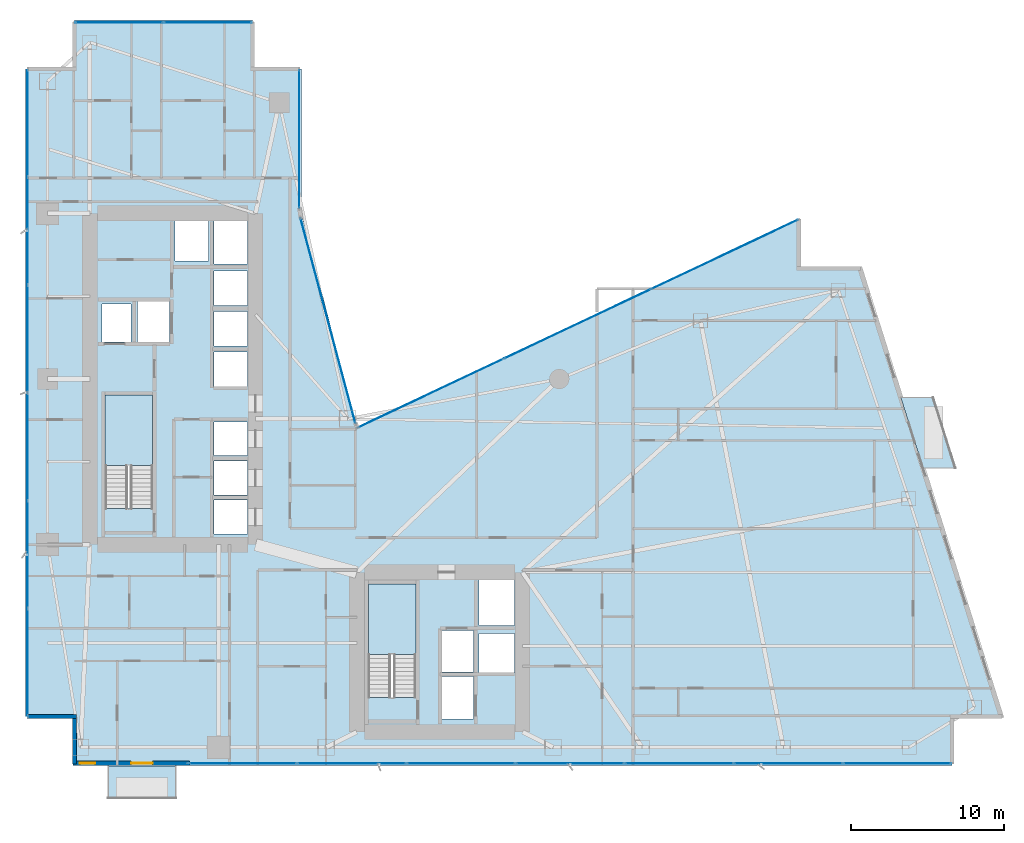
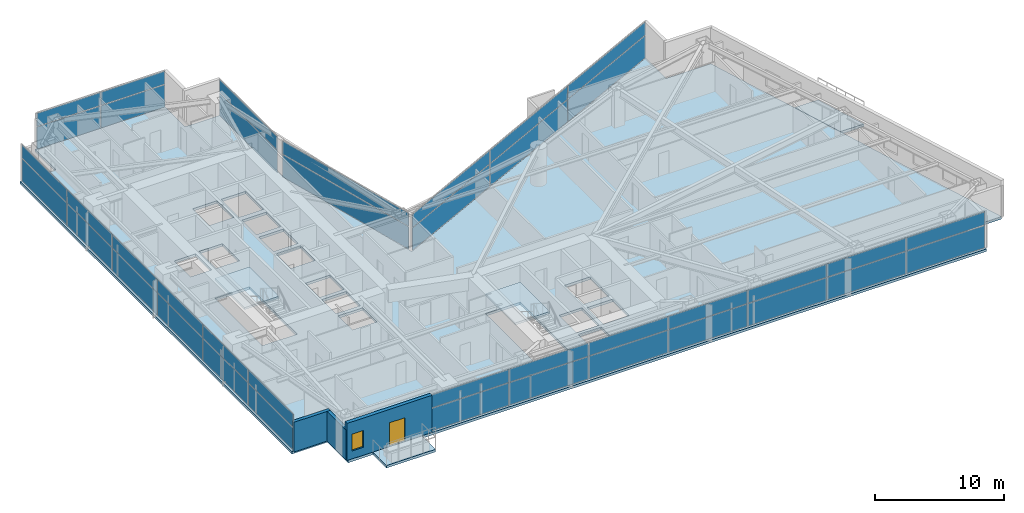
# One storey, part 20 of 28: 40 plates, 5 slabs, 3 walls, 1 door, 1 window, 2 openings, 8 elements without a shape of their own.
"""IFC4 building model written with IfcOpenShell, lengths in metres."""

from ifc_helpers import new_model, si_unit, direction, frame, frame_2d, origin, origin_2d, place, context, subcontext, project, spatial, polyline, rectangle, outline, extrude, material, layer, layer_set, type_object, element, fill, aggregate, save


model = new_model("IFC4")

# Units and contexts
model_context = context("Model", 3, precision=1e-05, world=origin(), true_north=direction((0.0, 1.0)))
body_context = subcontext(model_context, "Body", "Model", "MODEL_VIEW")
ifc_project = project(units=[si_unit("LENGTHUNIT", "METRE"), si_unit("AREAUNIT", "SQUARE_METRE"), si_unit("VOLUMEUNIT", "CUBIC_METRE"), si_unit("PLANEANGLEUNIT", "RADIAN"), si_unit("MASSUNIT", "GRAM", prefix="KILO")], contexts=[model_context])

# Site, building, storey
site_placement = place(None, origin())
site = spatial("IfcSite", under=ifc_project, at=site_placement, CompositionType="ELEMENT")
building_placement = place(site_placement, origin())
building = spatial("IfcBuilding", under=site, at=building_placement, Name="Calvorn Quay Hotel", CompositionType="ELEMENT")
storey_placement = place(building_placement, frame((0.0, 0.0, 42.199951171875)))
storey = spatial("IfcBuildingStorey", under=building, at=storey_placement, Name="L09", CompositionType="ELEMENT", Elevation=42.199951171875)

# Curtain wall, plates
ifc_material_1 = material(Name="Pale Anodised Aluminium and Low-E Glass", Category="aluminium")
ifc_layer_1 = layer(ifc_material_1, 0.219970703125)
ifc_layer_set_1 = layer_set([ifc_layer_1], Name="CW-SYS-Z1")
curtain_wall_type = type_object("IfcCurtainWallType", Name="CW-SYS-Z1", PredefinedType="NOTDEFINED", material=ifc_layer_set_1)
curtain_wall_1_placement = place(storey_placement, origin())
curtain_wall_1 = element("IfcCurtainWall", 1, at=curtain_wall_1_placement, inside=storey, type_object=curtain_wall_type, Name="Tower West Curtain Wall (L09)", PredefinedType="NOTDEFINED")
ifc_material_2 = material(Name="Low-E Laminated Double Glazing", Category="glass")
ifc_layer_2 = layer(ifc_material_2, 0.028076171875)
ifc_layer_set_2 = layer_set([ifc_layer_2], Name="CW-SYS-Z1-PAN")
plate_type = type_object("IfcPlateType", Name="CW-SYS-Z1-PAN", PredefinedType="CURTAIN_PANEL", material=ifc_layer_set_2)
plate_1_placement = place(storey_placement, frame((0.14990234375, 9.131591796875, 0.06005859375), z_axis=(0.0, 0.0, 1.0), x_axis=(0.0, 1.0, 0.0)))
plate_1 = element("IfcPlate", 2, at=plate_1_placement, type_object=plate_type, Name="CW-L09-W panel 1.1", PredefinedType="CURTAIN_PANEL", context=body_context, shape_type="SweptSolid", body=[
    extrude(rectangle(XDim=6.943359375, YDim=0.028076171875, at=origin_2d()), origin(), (0.0, 0.0, 1.0), 2.110107421875),
])
plate_2_placement = place(storey_placement, frame((0.14990234375, 9.131591796875, 2.22998046875), z_axis=(0.0, 0.0, 1.0), x_axis=(0.0, 1.0, 0.0)))
plate_2 = element("IfcPlate", 3, at=plate_2_placement, type_object=plate_type, Name="CW-L09-W panel 1.2", PredefinedType="CURTAIN_PANEL", context=body_context, shape_type="SweptSolid", body=[
    extrude(rectangle(XDim=6.943359375, YDim=0.028076171875, at=origin_2d()), origin(), (0.0, 0.0, 1.0), 1.22998046875),
])
plate_3_placement = place(storey_placement, frame((0.14990234375, 16.14990234375, 0.06005859375), z_axis=(0.0, 0.0, 1.0), x_axis=(0.0, 1.0, 0.0)))
plate_3 = element("IfcPlate", 4, at=plate_3_placement, type_object=plate_type, Name="CW-L09-W panel 2.1", PredefinedType="CURTAIN_PANEL", context=body_context, shape_type="SweptSolid", body=[
    extrude(rectangle(XDim=6.973388671875, YDim=0.028076171875, at=origin_2d()), origin(), (0.0, 0.0, 1.0), 2.110107421875),
])
plate_4_placement = place(storey_placement, frame((0.14990234375, 16.14990234375, 2.22998046875), z_axis=(0.0, 0.0, 1.0), x_axis=(0.0, 1.0, 0.0)))
plate_4 = element("IfcPlate", 5, at=plate_4_placement, type_object=plate_type, Name="CW-L09-W panel 2.2", PredefinedType="CURTAIN_PANEL", context=body_context, shape_type="SweptSolid", body=[
    extrude(rectangle(XDim=6.973388671875, YDim=0.028076171875, at=origin_2d()), origin(), (0.0, 0.0, 1.0), 1.22998046875),
])
plate_5_placement = place(storey_placement, frame((0.14990234375, 23.183349609375, 0.06005859375), z_axis=(0.0, 0.0, 1.0), x_axis=(0.0, 1.0, 0.0)))
plate_5 = element("IfcPlate", 6, at=plate_5_placement, type_object=plate_type, Name="CW-L09-W panel 3.1", PredefinedType="CURTAIN_PANEL", context=body_context, shape_type="SweptSolid", body=[
    extrude(rectangle(XDim=6.973388671875, YDim=0.028076171875, at=origin_2d()), origin(), (0.0, 0.0, 1.0), 2.110107421875),
])
plate_6_placement = place(storey_placement, frame((0.14990234375, 23.183349609375, 2.22998046875), z_axis=(0.0, 0.0, 1.0), x_axis=(0.0, 1.0, 0.0)))
plate_6 = element("IfcPlate", 7, at=plate_6_placement, type_object=plate_type, Name="CW-L09-W panel 3.2", PredefinedType="CURTAIN_PANEL", context=body_context, shape_type="SweptSolid", body=[
    extrude(rectangle(XDim=6.973388671875, YDim=0.028076171875, at=origin_2d()), origin(), (0.0, 0.0, 1.0), 1.22998046875),
])
plate_7_placement = place(storey_placement, frame((0.14990234375, 30.216552734375, 0.06005859375), z_axis=(0.0, 0.0, 1.0), x_axis=(0.0, 1.0, 0.0)))
plate_7 = element("IfcPlate", 8, at=plate_7_placement, type_object=plate_type, Name="CW-L09-W panel 4.1", PredefinedType="CURTAIN_PANEL", context=body_context, shape_type="SweptSolid", body=[
    extrude(rectangle(XDim=6.973388671875, YDim=0.028076171875, at=origin_2d()), origin(), (0.0, 0.0, 1.0), 2.110107421875),
])
plate_8_placement = place(storey_placement, frame((0.14990234375, 30.216552734375, 2.22998046875), z_axis=(0.0, 0.0, 1.0), x_axis=(0.0, 1.0, 0.0)))
plate_8 = element("IfcPlate", 9, at=plate_8_placement, type_object=plate_type, Name="CW-L09-W panel 4.2", PredefinedType="CURTAIN_PANEL", context=body_context, shape_type="SweptSolid", body=[
    extrude(rectangle(XDim=6.973388671875, YDim=0.028076171875, at=origin_2d()), origin(), (0.0, 0.0, 1.0), 1.22998046875),
])
plate_9_placement = place(storey_placement, frame((0.14990234375, 37.25, 0.06005859375), z_axis=(0.0, 0.0, 1.0), x_axis=(0.0, 1.0, 0.0)))
plate_9 = element("IfcPlate", 10, at=plate_9_placement, type_object=plate_type, Name="CW-L09-W panel 5.1", PredefinedType="CURTAIN_PANEL", context=body_context, shape_type="SweptSolid", body=[
    extrude(rectangle(XDim=6.973388671875, YDim=0.028076171875, at=origin_2d()), origin(), (0.0, 0.0, 1.0), 2.110107421875),
])
plate_10_placement = place(storey_placement, frame((0.14990234375, 37.25, 2.22998046875), z_axis=(0.0, 0.0, 1.0), x_axis=(0.0, 1.0, 0.0)))
plate_10 = element("IfcPlate", 11, at=plate_10_placement, type_object=plate_type, Name="CW-L09-W panel 5.2", PredefinedType="CURTAIN_PANEL", context=body_context, shape_type="SweptSolid", body=[
    extrude(rectangle(XDim=6.973388671875, YDim=0.028076171875, at=origin_2d()), origin(), (0.0, 0.0, 1.0), 1.22998046875),
])
plate_11_placement = place(storey_placement, frame((0.14990234375, 44.268310546875, 0.06005859375), z_axis=(0.0, 0.0, 1.0), x_axis=(0.0, 1.0, 0.0)))
plate_11 = element("IfcPlate", 12, at=plate_11_placement, type_object=plate_type, Name="CW-L09-W panel 6.1", PredefinedType="CURTAIN_PANEL", context=body_context, shape_type="SweptSolid", body=[
    extrude(rectangle(XDim=6.943359375, YDim=0.028076171875, at=origin_2d()), origin(), (0.0, 0.0, 1.0), 2.110107421875),
])
plate_12_placement = place(storey_placement, frame((0.14990234375, 44.268310546875, 2.22998046875), z_axis=(0.0, 0.0, 1.0), x_axis=(0.0, 1.0, 0.0)))
plate_12 = element("IfcPlate", 13, at=plate_12_placement, type_object=plate_type, Name="CW-L09-W panel 6.2", PredefinedType="CURTAIN_PANEL", context=body_context, shape_type="SweptSolid", body=[
    extrude(rectangle(XDim=6.943359375, YDim=0.028076171875, at=origin_2d()), origin(), (0.0, 0.0, 1.0), 1.22998046875),
])
aggregate(curtain_wall_1, [plate_1, plate_2, plate_3, plate_4, plate_5, plate_6, plate_7, plate_8, plate_9, plate_10, plate_11, plate_12])

curtain_wall_2_placement = place(storey_placement, origin())
curtain_wall_2 = element("IfcCurtainWall", 14, at=curtain_wall_2_placement, inside=storey, type_object=curtain_wall_type, Name="Tower South Waterfront Curtain Wall (L09)", PredefinedType="NOTDEFINED")
plate_13_placement = place(storey_placement, frame((14.172119140625, 2.550048828125, 0.06005859375), z_axis=(0.0, 0.0, 1.0), x_axis=(1.0, 0.0, 0.0)))
plate_13 = element("IfcPlate", 15, at=plate_13_placement, type_object=plate_type, Name="CW-L09-S panel 1.1", PredefinedType="CURTAIN_PANEL", context=body_context, shape_type="SweptSolid", body=[
    extrude(rectangle(XDim=7.024169921875, YDim=0.028076171875, at=origin_2d()), origin(), (0.0, 0.0, 1.0), 2.110107421875),
])
plate_14_placement = place(storey_placement, frame((14.172119140625, 2.550048828125, 2.22998046875), z_axis=(0.0, 0.0, 1.0), x_axis=(1.0, 0.0, 0.0)))
plate_14 = element("IfcPlate", 16, at=plate_14_placement, type_object=plate_type, Name="CW-L09-S panel 1.2", PredefinedType="CURTAIN_PANEL", context=body_context, shape_type="SweptSolid", body=[
    extrude(rectangle(XDim=7.024169921875, YDim=0.028076171875, at=origin_2d()), origin(), (0.0, 0.0, 1.0), 1.22998046875),
])
plate_15_placement = place(storey_placement, frame((21.271484375, 2.550048828125, 0.06005859375), z_axis=(0.0, 0.0, 1.0), x_axis=(1.0, 0.0, 0.0)))
plate_15 = element("IfcPlate", 17, at=plate_15_placement, type_object=plate_type, Name="CW-L09-S panel 2.1", PredefinedType="CURTAIN_PANEL", context=body_context, shape_type="SweptSolid", body=[
    extrude(rectangle(XDim=7.05419921875, YDim=0.028076171875, at=origin_2d()), origin(), (0.0, 0.0, 1.0), 2.110107421875),
])
plate_16_placement = place(storey_placement, frame((21.271484375, 2.550048828125, 2.22998046875), z_axis=(0.0, 0.0, 1.0), x_axis=(1.0, 0.0, 0.0)))
plate_16 = element("IfcPlate", 18, at=plate_16_placement, type_object=plate_type, Name="CW-L09-S panel 2.2", PredefinedType="CURTAIN_PANEL", context=body_context, shape_type="SweptSolid", body=[
    extrude(rectangle(XDim=7.05419921875, YDim=0.028076171875, at=origin_2d()), origin(), (0.0, 0.0, 1.0), 1.22998046875),
])
plate_17_placement = place(storey_placement, frame((28.3857421875, 2.550048828125, 0.06005859375), z_axis=(0.0, 0.0, 1.0), x_axis=(1.0, 0.0, 0.0)))
plate_17 = element("IfcPlate", 19, at=plate_17_placement, type_object=plate_type, Name="CW-L09-S panel 3.1", PredefinedType="CURTAIN_PANEL", context=body_context, shape_type="SweptSolid", body=[
    extrude(rectangle(XDim=7.05419921875, YDim=0.028076171875, at=origin_2d()), origin(), (0.0, 0.0, 1.0), 2.110107421875),
])
plate_18_placement = place(storey_placement, frame((28.3857421875, 2.550048828125, 2.22998046875), z_axis=(0.0, 0.0, 1.0), x_axis=(1.0, 0.0, 0.0)))
plate_18 = element("IfcPlate", 20, at=plate_18_placement, type_object=plate_type, Name="CW-L09-S panel 3.2", PredefinedType="CURTAIN_PANEL", context=body_context, shape_type="SweptSolid", body=[
    extrude(rectangle(XDim=7.05419921875, YDim=0.028076171875, at=origin_2d()), origin(), (0.0, 0.0, 1.0), 1.22998046875),
])
plate_19_placement = place(storey_placement, frame((35.5, 2.550048828125, 0.06005859375), z_axis=(0.0, 0.0, 1.0), x_axis=(1.0, 0.0, 0.0)))
plate_19 = element("IfcPlate", 21, at=plate_19_placement, type_object=plate_type, Name="CW-L09-S panel 4.1", PredefinedType="CURTAIN_PANEL", context=body_context, shape_type="SweptSolid", body=[
    extrude(rectangle(XDim=7.05419921875, YDim=0.028076171875, at=origin_2d()), origin(), (0.0, 0.0, 1.0), 2.110107421875),
])
plate_20_placement = place(storey_placement, frame((35.5, 2.550048828125, 2.22998046875), z_axis=(0.0, 0.0, 1.0), x_axis=(1.0, 0.0, 0.0)))
plate_20 = element("IfcPlate", 22, at=plate_20_placement, type_object=plate_type, Name="CW-L09-S panel 4.2", PredefinedType="CURTAIN_PANEL", context=body_context, shape_type="SweptSolid", body=[
    extrude(rectangle(XDim=7.05419921875, YDim=0.028076171875, at=origin_2d()), origin(), (0.0, 0.0, 1.0), 1.22998046875),
])
plate_21_placement = place(storey_placement, frame((42.6142578125, 2.550048828125, 0.06005859375), z_axis=(0.0, 0.0, 1.0), x_axis=(1.0, 0.0, 0.0)))
plate_21 = element("IfcPlate", 23, at=plate_21_placement, type_object=plate_type, Name="CW-L09-S panel 5.1", PredefinedType="CURTAIN_PANEL", context=body_context, shape_type="SweptSolid", body=[
    extrude(rectangle(XDim=7.05419921875, YDim=0.028076171875, at=origin_2d()), origin(), (0.0, 0.0, 1.0), 2.110107421875),
])
plate_22_placement = place(storey_placement, frame((42.6142578125, 2.550048828125, 2.22998046875), z_axis=(0.0, 0.0, 1.0), x_axis=(1.0, 0.0, 0.0)))
plate_22 = element("IfcPlate", 24, at=plate_22_placement, type_object=plate_type, Name="CW-L09-S panel 5.2", PredefinedType="CURTAIN_PANEL", context=body_context, shape_type="SweptSolid", body=[
    extrude(rectangle(XDim=7.05419921875, YDim=0.028076171875, at=origin_2d()), origin(), (0.0, 0.0, 1.0), 1.22998046875),
])
plate_23_placement = place(storey_placement, frame((49.728515625, 2.550048828125, 0.06005859375), z_axis=(0.0, 0.0, 1.0), x_axis=(1.0, 0.0, 0.0)))
plate_23 = element("IfcPlate", 25, at=plate_23_placement, type_object=plate_type, Name="CW-L09-S panel 6.1", PredefinedType="CURTAIN_PANEL", context=body_context, shape_type="SweptSolid", body=[
    extrude(rectangle(XDim=7.05419921875, YDim=0.028076171875, at=origin_2d()), origin(), (0.0, 0.0, 1.0), 2.110107421875),
])
plate_24_placement = place(storey_placement, frame((49.728515625, 2.550048828125, 2.22998046875), z_axis=(0.0, 0.0, 1.0), x_axis=(1.0, 0.0, 0.0)))
plate_24 = element("IfcPlate", 26, at=plate_24_placement, type_object=plate_type, Name="CW-L09-S panel 6.2", PredefinedType="CURTAIN_PANEL", context=body_context, shape_type="SweptSolid", body=[
    extrude(rectangle(XDim=7.05419921875, YDim=0.028076171875, at=origin_2d()), origin(), (0.0, 0.0, 1.0), 1.22998046875),
])
plate_25_placement = place(storey_placement, frame((56.827880859375, 2.550048828125, 0.06005859375), z_axis=(0.0, 0.0, 1.0), x_axis=(1.0, 0.0, 0.0)))
plate_25 = element("IfcPlate", 27, at=plate_25_placement, type_object=plate_type, Name="CW-L09-S panel 7.1", PredefinedType="CURTAIN_PANEL", context=body_context, shape_type="SweptSolid", body=[
    extrude(rectangle(XDim=7.024169921875, YDim=0.028076171875, at=origin_2d()), origin(), (0.0, 0.0, 1.0), 2.110107421875),
])
plate_26_placement = place(storey_placement, frame((56.827880859375, 2.550048828125, 2.22998046875), z_axis=(0.0, 0.0, 1.0), x_axis=(1.0, 0.0, 0.0)))
plate_26 = element("IfcPlate", 28, at=plate_26_placement, type_object=plate_type, Name="CW-L09-S panel 7.2", PredefinedType="CURTAIN_PANEL", context=body_context, shape_type="SweptSolid", body=[
    extrude(rectangle(XDim=7.024169921875, YDim=0.028076171875, at=origin_2d()), origin(), (0.0, 0.0, 1.0), 1.22998046875),
])
aggregate(curtain_wall_2, [plate_13, plate_14, plate_15, plate_16, plate_17, plate_18, plate_19, plate_20, plate_21, plate_22, plate_23, plate_24, plate_25, plate_26])

curtain_wall_3_placement = place(storey_placement, origin())
curtain_wall_3 = element("IfcCurtainWall", 29, at=curtain_wall_3_placement, inside=storey, type_object=curtain_wall_type, Name="Inner Court Curtain Wall L09-NE1", PredefinedType="NOTDEFINED")
plate_27_placement = place(storey_placement, frame((45.58642578125, 35.726806640625, 0.06005859375), z_axis=(0.0, 0.0, 1.0), x_axis=(-0.904248646743, -0.427006305415, 0.0)))
plate_27 = element("IfcPlate", 30, at=plate_27_placement, type_object=plate_type, Name="CW-L09-NE1 panel 1.1", PredefinedType="CURTAIN_PANEL", context=body_context, shape_type="SweptSolid", body=[
    extrude(rectangle(XDim=10.526611328125, YDim=0.028076171875, at=origin_2d()), origin(), (0.0, 0.0, 1.0), 2.110107421875),
])
plate_28_placement = place(storey_placement, frame((45.58642578125, 35.726806640625, 2.22998046875), z_axis=(0.0, 0.0, 1.0), x_axis=(-0.904248646743, -0.427006305415, 0.0)))
plate_28 = element("IfcPlate", 31, at=plate_28_placement, type_object=plate_type, Name="CW-L09-NE1 panel 1.2", PredefinedType="CURTAIN_PANEL", context=body_context, shape_type="SweptSolid", body=[
    extrude(rectangle(XDim=10.526611328125, YDim=0.028076171875, at=origin_2d()), origin(), (0.0, 0.0, 1.0), 1.22998046875),
])
plate_29_placement = place(storey_placement, frame((36.0, 31.199951171875, 0.06005859375), z_axis=(0.0, 0.0, 1.0), x_axis=(-0.904248646743, -0.427006305415, 0.0)))
plate_29 = element("IfcPlate", 32, at=plate_29_placement, type_object=plate_type, Name="CW-L09-NE1 panel 2.1", PredefinedType="CURTAIN_PANEL", context=body_context, shape_type="SweptSolid", body=[
    extrude(rectangle(XDim=10.556640625, YDim=0.028076171875, at=origin_2d()), origin(), (0.0, 0.0, 1.0), 2.110107421875),
])
plate_30_placement = place(storey_placement, frame((36.0, 31.199951171875, 2.22998046875), z_axis=(0.0, 0.0, 1.0), x_axis=(-0.904248646743, -0.427006305415, 0.0)))
plate_30 = element("IfcPlate", 33, at=plate_30_placement, type_object=plate_type, Name="CW-L09-NE1 panel 2.2", PredefinedType="CURTAIN_PANEL", context=body_context, shape_type="SweptSolid", body=[
    extrude(rectangle(XDim=10.556640625, YDim=0.028076171875, at=origin_2d()), origin(), (0.0, 0.0, 1.0), 1.22998046875),
])
plate_31_placement = place(storey_placement, frame((26.41357421875, 26.673095703125, 0.06005859375), z_axis=(0.0, 0.0, 1.0), x_axis=(-0.904248646743, -0.427006305415, 0.0)))
plate_31 = element("IfcPlate", 34, at=plate_31_placement, type_object=plate_type, Name="CW-L09-NE1 panel 3.1", PredefinedType="CURTAIN_PANEL", context=body_context, shape_type="SweptSolid", body=[
    extrude(rectangle(XDim=10.526611328125, YDim=0.028076171875, at=origin_2d()), origin(), (0.0, 0.0, 1.0), 2.110107421875),
])
plate_32_placement = place(storey_placement, frame((26.41357421875, 26.673095703125, 2.22998046875), z_axis=(0.0, 0.0, 1.0), x_axis=(-0.904248646743, -0.427006305415, 0.0)))
plate_32 = element("IfcPlate", 35, at=plate_32_placement, type_object=plate_type, Name="CW-L09-NE1 panel 3.2", PredefinedType="CURTAIN_PANEL", context=body_context, shape_type="SweptSolid", body=[
    extrude(rectangle(XDim=10.526611328125, YDim=0.028076171875, at=origin_2d()), origin(), (0.0, 0.0, 1.0), 1.22998046875),
])
aggregate(curtain_wall_3, [plate_27, plate_28, plate_29, plate_30, plate_31, plate_32])

curtain_wall_4_placement = place(storey_placement, origin())
curtain_wall_4 = element("IfcCurtainWall", 36, at=curtain_wall_4_placement, inside=storey, type_object=curtain_wall_type, Name="Inner Court Curtain Wall L09-IC1", PredefinedType="NOTDEFINED")
plate_33_placement = place(storey_placement, frame((19.72509765625, 31.39990234375, 0.06005859375), z_axis=(0.0, 0.0, 1.0), x_axis=(-0.25877913024, 0.96593652056, 0.0)))
plate_33 = element("IfcPlate", 37, at=plate_33_placement, type_object=plate_type, Name="CW-L09-IC1 panel 1.1", PredefinedType="CURTAIN_PANEL", context=body_context, shape_type="SweptSolid", body=[
    extrude(rectangle(XDim=13.814697265625, YDim=0.028076171875, at=origin_2d()), origin(), (0.0, 0.0, 1.0), 2.110107421875),
])
plate_34_placement = place(storey_placement, frame((19.72509765625, 31.39990234375, 2.22998046875), z_axis=(0.0, 0.0, 1.0), x_axis=(-0.25877913024, 0.96593652056, 0.0)))
plate_34 = element("IfcPlate", 38, at=plate_34_placement, type_object=plate_type, Name="CW-L09-IC1 panel 1.2", PredefinedType="CURTAIN_PANEL", context=body_context, shape_type="SweptSolid", body=[
    extrude(rectangle(XDim=13.814697265625, YDim=0.028076171875, at=origin_2d()), origin(), (0.0, 0.0, 1.0), 1.22998046875),
])
aggregate(curtain_wall_4, [plate_33, plate_34])

curtain_wall_5_placement = place(storey_placement, origin())
curtain_wall_5 = element("IfcCurtainWall", 39, at=curtain_wall_5_placement, inside=storey, type_object=curtain_wall_type, Name="Inner Court Curtain Wall L09-IC2", PredefinedType="NOTDEFINED")
plate_35_placement = place(storey_placement, frame((17.85009765625, 43.239990234375, 0.06005859375), z_axis=(0.0, 0.0, 1.0), x_axis=(0.0, 1.0, 0.0)))
plate_35 = element("IfcPlate", 40, at=plate_35_placement, type_object=plate_type, Name="CW-L09-IC2 panel 1.1", PredefinedType="CURTAIN_PANEL", context=body_context, shape_type="SweptSolid", body=[
    extrude(rectangle(XDim=9.0, YDim=0.028076171875, at=origin_2d()), origin(), (0.0, 0.0, 1.0), 2.110107421875),
])
plate_36_placement = place(storey_placement, frame((17.85009765625, 43.239990234375, 2.22998046875), z_axis=(0.0, 0.0, 1.0), x_axis=(0.0, 1.0, 0.0)))
plate_36 = element("IfcPlate", 41, at=plate_36_placement, type_object=plate_type, Name="CW-L09-IC2 panel 1.2", PredefinedType="CURTAIN_PANEL", context=body_context, shape_type="SweptSolid", body=[
    extrude(rectangle(XDim=9.0, YDim=0.028076171875, at=origin_2d()), origin(), (0.0, 0.0, 1.0), 1.22998046875),
])
aggregate(curtain_wall_5, [plate_35, plate_36])

curtain_wall_6_placement = place(storey_placement, origin())
curtain_wall_6 = element("IfcCurtainWall", 42, at=curtain_wall_6_placement, inside=storey, type_object=curtain_wall_type, Name="Inner Court Curtain Wall L09-N1", PredefinedType="NOTDEFINED")
plate_37_placement = place(storey_placement, frame((11.885009765625, 50.85009765625, 0.06005859375), z_axis=(0.0, 0.0, 1.0), x_axis=(-1.0, 0.0, 0.0)))
plate_37 = element("IfcPlate", 43, at=plate_37_placement, type_object=plate_type, Name="CW-L09-N1 panel 1.1", PredefinedType="CURTAIN_PANEL", context=body_context, shape_type="SweptSolid", body=[
    extrude(rectangle(XDim=5.7099609375, YDim=0.028076171875, at=origin_2d()), origin(), (0.0, 0.0, 1.0), 2.110107421875),
])
plate_38_placement = place(storey_placement, frame((11.885009765625, 50.85009765625, 2.22998046875), z_axis=(0.0, 0.0, 1.0), x_axis=(-1.0, 0.0, 0.0)))
plate_38 = element("IfcPlate", 44, at=plate_38_placement, type_object=plate_type, Name="CW-L09-N1 panel 1.2", PredefinedType="CURTAIN_PANEL", context=body_context, shape_type="SweptSolid", body=[
    extrude(rectangle(XDim=5.7099609375, YDim=0.028076171875, at=origin_2d()), origin(), (0.0, 0.0, 1.0), 1.22998046875),
])
plate_39_placement = place(storey_placement, frame((6.114990234375, 50.85009765625, 0.06005859375), z_axis=(0.0, 0.0, 1.0), x_axis=(-1.0, 0.0, 0.0)))
plate_39 = element("IfcPlate", 45, at=plate_39_placement, type_object=plate_type, Name="CW-L09-N1 panel 2.1", PredefinedType="CURTAIN_PANEL", context=body_context, shape_type="SweptSolid", body=[
    extrude(rectangle(XDim=5.7099609375, YDim=0.028076171875, at=origin_2d()), origin(), (0.0, 0.0, 1.0), 2.110107421875),
])
plate_40_placement = place(storey_placement, frame((6.114990234375, 50.85009765625, 2.22998046875), z_axis=(0.0, 0.0, 1.0), x_axis=(-1.0, 0.0, 0.0)))
plate_40 = element("IfcPlate", 46, at=plate_40_placement, type_object=plate_type, Name="CW-L09-N1 panel 2.2", PredefinedType="CURTAIN_PANEL", context=body_context, shape_type="SweptSolid", body=[
    extrude(rectangle(XDim=5.7099609375, YDim=0.028076171875, at=origin_2d()), origin(), (0.0, 0.0, 1.0), 1.22998046875),
])
aggregate(curtain_wall_6, [plate_37, plate_38, plate_39, plate_40])

# Slabs
ifc_material_3 = material(Name="Concrete C40", Category="concrete")
ifc_layer_3 = layer(ifc_material_3, 0.239990234375)
ifc_layer_set_3 = layer_set([ifc_layer_3], Name="SLB-BALCONY-220")
slab_type_1 = type_object("IfcSlabType", Name="SLB-BALCONY-220", PredefinedType="FLOOR", material=ifc_layer_set_3)
slab_1_placement = place(storey_placement, frame((0.0, 0.0, -0.239990234375)))
element("IfcSlab", 47, at=slab_1_placement, inside=storey, type_object=slab_type_1, Name="Tree Balcony Slab L09-BALC-E", PredefinedType="FLOOR", context=body_context, shape_type="SweptSolid", body=[
    extrude(outline(polyline([(58.506103515625, 21.800048828125), (60.60595703125, 21.800048828125), (59.156982421875, 26.39990234375), (57.056884765625, 26.39990234375), (58.506103515625, 21.800048828125)])), origin(), (0.0, 0.0, 1.0), 0.239990234375),
])
slab_2_placement = place(storey_placement, frame((0.0, 0.0, -0.239990234375)))
element("IfcSlab", 48, at=slab_2_placement, inside=storey, type_object=slab_type_1, Name="Tree Balcony Slab L09-BALC-S", PredefinedType="FLOOR", context=body_context, shape_type="SweptSolid", body=[
    extrude(outline(polyline([(5.39990234375, 0.2900390625), (9.800048828125, 0.2900390625), (9.800048828125, 2.389892578125), (5.39990234375, 2.389892578125), (5.39990234375, 0.2900390625)])), origin(), (0.0, 0.0, 1.0), 0.239990234375),
])

# Stair, slab
ifc_material_4 = material(Name="Concrete C40", Category="concrete")
stair_type = type_object("IfcStairType", Name="STR-CORE-DOGLEG", PredefinedType="HALF_TURN_STAIR", material=ifc_material_4)
stair_1_placement = place(storey_placement, origin())
stair_1 = element("IfcStair", 49, at=stair_1_placement, inside=storey, type_object=stair_type, Name="L09 ST-W", PredefinedType="HALF_TURN_STAIR")
ifc_material_5 = material(Name="Concrete C40", Category="concrete")
ifc_layer_4 = layer(ifc_material_5, 0.199951171875)
ifc_layer_set_4 = layer_set([ifc_layer_4], Name="SLB-STAIR-LANDING-200")
slab_type_2 = type_object("IfcSlabType", Name="SLB-STAIR-LANDING-200", PredefinedType="LANDING", material=ifc_layer_set_4)
slab_3_placement = place(storey_placement, frame((0.0, 0.0, 1.699951171875)))
slab_3 = element("IfcSlab", 50, at=slab_3_placement, type_object=slab_type_2, Name="ST-W landing 1", PredefinedType="LANDING", context=body_context, shape_type="SweptSolid", body=[
    extrude(outline(polyline([(8.300048828125, 21.949951171875), (8.300048828125, 26.550048828125), (5.199951171875, 26.550048828125), (5.199951171875, 21.949951171875), (8.300048828125, 21.949951171875)])), origin(), (0.0, 0.0, 1.0), 0.2001953125),
])
aggregate(stair_1, [slab_3])

stair_2_placement = place(storey_placement, origin())
stair_2 = element("IfcStair", 51, at=stair_2_placement, inside=storey, type_object=stair_type, Name="L09 ST-E", PredefinedType="HALF_TURN_STAIR")
slab_4_placement = place(storey_placement, frame((0.0, 0.0, 1.699951171875)))
slab_4 = element("IfcSlab", 52, at=slab_4_placement, type_object=slab_type_2, Name="ST-E landing 1", PredefinedType="LANDING", context=body_context, shape_type="SweptSolid", body=[
    extrude(outline(polyline([(25.449951171875, 9.64990234375), (25.449951171875, 14.25), (22.35009765625, 14.25), (22.35009765625, 9.64990234375), (25.449951171875, 9.64990234375)])), origin(), (0.0, 0.0, 1.0), 0.2001953125),
])
aggregate(stair_2, [slab_4])

# Slab
ifc_material_6 = material(Name="Concrete C40", Category="concrete")
ifc_layer_5 = layer(ifc_material_6, 0.239990234375)
ifc_layer_set_5 = layer_set([ifc_layer_5], Name="SLB-TOWER-240")
slab_type_3 = type_object("IfcSlabType", Name="SLB-TOWER-240", PredefinedType="FLOOR", material=ifc_layer_set_5)
slab_5_placement = place(storey_placement, frame((0.0, 0.0, -0.239990234375)))
element("IfcSlab", 53, at=slab_5_placement, inside=storey, type_object=slab_type_3, Name="L09 Structural Floor Slab", PredefinedType="FLOOR", context=body_context, shape_type="SweptSolid", body=[
    extrude(outline(polyline([(0.0, 5.60009765625), (3.199951171875, 5.60009765625), (3.199951171875, 2.39990234375), (60.39990234375, 2.39990234375), (60.39990234375, 5.60009765625), (63.60009765625, 5.60009765625), (54.39990234375, 34.800048828125), (50.39990234375, 34.800048828125), (50.39990234375, 38.0), (21.60009765625, 24.39990234375), (18.0, 38.39990234375), (18.0, 47.800048828125), (14.800048828125, 47.800048828125), (14.800048828125, 51.0), (3.199951171875, 51.0), (3.199951171875, 47.800048828125), (0.0, 47.800048828125), (0.0, 5.60009765625)]), holes=[polyline([(5.199951171875, 19.156005859375), (8.300048828125, 19.156005859375), (8.300048828125, 26.550048828125), (5.199951171875, 26.550048828125), (5.199951171875, 19.156005859375)]), polyline([(22.35009765625, 6.85595703125), (25.449951171875, 6.85595703125), (25.449951171875, 14.25), (22.35009765625, 14.25), (22.35009765625, 6.85595703125)]), polyline([(5.0, 30.0), (6.89990234375, 30.0), (6.89990234375, 32.5), (5.0, 32.5), (5.0, 30.0)]), polyline([(7.300048828125, 30.0), (9.39990234375, 30.0), (9.39990234375, 32.64990234375), (7.300048828125, 32.64990234375), (7.300048828125, 30.0)]), polyline([(27.159912109375, 8.5), (29.2099609375, 8.5), (29.2099609375, 11.199951171875), (27.159912109375, 11.199951171875), (27.159912109375, 8.5)]), polyline([(27.159912109375, 5.449951171875), (29.2099609375, 5.449951171875), (29.2099609375, 8.199951171875), (27.159912109375, 8.199951171875), (27.159912109375, 5.449951171875)]), polyline([(12.300048828125, 17.5), (14.489990234375, 17.5), (14.489990234375, 19.699951171875), (12.300048828125, 19.699951171875), (12.300048828125, 17.5)]), polyline([(12.300048828125, 20.050048828125), (14.489990234375, 20.050048828125), (14.489990234375, 22.25), (12.300048828125, 22.25), (12.300048828125, 20.050048828125)]), polyline([(12.300048828125, 22.60009765625), (14.489990234375, 22.60009765625), (14.489990234375, 24.800048828125), (12.300048828125, 24.800048828125), (12.300048828125, 22.60009765625)]), polyline([(12.300048828125, 27.10009765625), (14.489990234375, 27.10009765625), (14.489990234375, 29.35009765625), (12.300048828125, 29.35009765625), (12.300048828125, 27.10009765625)]), polyline([(12.300048828125, 29.75), (14.489990234375, 29.75), (14.489990234375, 32.0), (12.300048828125, 32.0), (12.300048828125, 29.75)]), polyline([(12.300048828125, 32.39990234375), (14.489990234375, 32.39990234375), (14.489990234375, 34.64990234375), (12.300048828125, 34.64990234375), (12.300048828125, 32.39990234375)]), polyline([(12.300048828125, 35.10009765625), (14.489990234375, 35.10009765625), (14.489990234375, 37.889892578125), (12.300048828125, 37.889892578125), (12.300048828125, 35.10009765625)]), polyline([(9.75, 35.300048828125), (11.949951171875, 35.300048828125), (11.949951171875, 37.889892578125), (9.75, 37.889892578125), (9.75, 35.300048828125)]), polyline([(29.550048828125, 11.550048828125), (31.889892578125, 11.550048828125), (31.889892578125, 14.489990234375), (29.550048828125, 14.489990234375), (29.550048828125, 11.550048828125)]), polyline([(29.550048828125, 8.449951171875), (31.889892578125, 8.449951171875), (31.889892578125, 11.0), (29.550048828125, 11.0), (29.550048828125, 8.449951171875)])]), origin(), (0.0, 0.0, 1.0), 0.239990234375),
])

# Wall, openings, door, window
ifc_material_7 = material(Name="Concrete C40", Category="concrete")
ifc_layer_6 = layer(ifc_material_7, 0.320068359375)
ifc_layer_set_6 = layer_set([ifc_layer_6], Name="WL-EXT-SPANDREL-320")
wall_type = type_object("IfcWallType", Name="WL-EXT-SPANDREL-320", PredefinedType="SOLIDWALL", material=ifc_layer_set_6)
wall_1_placement = place(storey_placement, frame((3.10009765625, 2.56005859375, 0.0), z_axis=(0.0, 0.0, 1.0), x_axis=(1.0, 0.0, 0.0)))
wall_1 = element("IfcWall", 54, at=wall_1_placement, inside=storey, type_object=wall_type, Name="South Balcony Exterior Wall (L09)", PredefinedType="SOLIDWALL", context=body_context, shape_type="SweptSolid", body=[
    extrude(rectangle(XDim=7.599853515625, YDim=0.320068359375, at=frame_2d((3.7998046875, 0.0))), origin(), (0.0, 0.0, 1.0), 3.52001953125),
])
opening_1_placement = place(wall_1_placement, frame((0.449951171875, 0.0, 0.75)))
opening_1 = element("IfcOpeningElement", 55, at=opening_1_placement, cuts=wall_1, Name="Opening WSB-L09-1", PredefinedType="OPENING", context=body_context, shape_type="SweptSolid", body=[
    extrude(rectangle(XDim=1.0, YDim=1.60009765625, at=frame_2d((0.5, 0.800048828125))), frame((0.0, 0.169921875, 0.0), z_axis=(0.0, -1.0, 0.0), x_axis=(1.0, 0.0, 0.0)), (0.0, 0.0, 1.0), 0.340087890625),
])
opening_2_placement = place(wall_1_placement, frame((3.800048828125, 0.0, 0.0)))
opening_2 = element("IfcOpeningElement", 56, at=opening_2_placement, cuts=wall_1, Name="Opening DB-L09-2", PredefinedType="OPENING", context=body_context, shape_type="SweptSolid", body=[
    extrude(rectangle(XDim=1.39990234375, YDim=2.25, at=frame_2d((0.699951171875, 1.125))), frame((0.0, 0.169921875, 0.0), z_axis=(0.0, -1.0, 0.0), x_axis=(1.0, 0.0, 0.0)), (0.0, 0.0, 1.0), 0.340087890625),
])
ifc_material_8 = material(Name="Typhoon-Rated Low-E Aluminium Terrace Door", Category="aluminium")
door_type = type_object("IfcDoorType", Name="DR-BALCONY-GLZ-1400", OperationType="NOTDEFINED", PredefinedType="DOOR", material=ifc_material_8)
door_placement = place(opening_2_placement, origin())
door = element("IfcDoor", 57, at=door_placement, inside=storey, type_object=door_type, Name="Tree Balcony Terrace Door L09-BALC-S", OperationType="SINGLE_SWING_LEFT", OverallHeight=2.25, OverallWidth=1.39990234375, PredefinedType="DOOR", context=body_context, shape_type="SweptSolid", body=[
    extrude(rectangle(XDim=1.39990234375, YDim=2.25, at=frame_2d((0.699951171875, 1.125))), frame((0.0, 0.02490234375, 0.0), z_axis=(0.0, -1.0, 0.0), x_axis=(1.0, 0.0, 0.0)), (0.0, 0.0, 1.0), 0.050048828125),
])
fill(opening_2, door)
ifc_material_9 = material(Name="Self-Closing Class B Side Fire Window")
window_type = type_object("IfcWindowType", Name="WIN-REFUGE-NARROW-1000x1600", PartitioningType="SINGLE_PANEL", PredefinedType="WINDOW", material=ifc_material_9)
window_placement = place(opening_1_placement, origin())
window = element("IfcWindow", 58, at=window_placement, inside=storey, type_object=window_type, Name="South Waterfront Side Window (L09)", OverallHeight=1.60009765625, OverallWidth=1.0, PartitioningType="SINGLE_PANEL", PredefinedType="WINDOW", context=body_context, shape_type="SweptSolid", body=[
    extrude(rectangle(XDim=1.0, YDim=1.60009765625, at=frame_2d((0.5, 0.800048828125))), frame((0.0, 0.030029296875, 0.0), z_axis=(0.0, -1.0, 0.0), x_axis=(1.0, 0.0, 0.0)), (0.0, 0.0, 1.0), 0.06005859375),
])
fill(opening_1, window)

# Walls
wall_2_placement = place(storey_placement, frame((0.1201171875, 5.60009765625, 0.0), z_axis=(0.0, 0.0, 1.0), x_axis=(1.0, 0.0, 0.0)))
element("IfcWall", 59, at=wall_2_placement, inside=storey, type_object=wall_type, Name="Notched Corner Spandrel L09-SW1", PredefinedType="SOLIDWALL", context=body_context, shape_type="SweptSolid", body=[
    extrude(rectangle(XDim=3.219970703125, YDim=0.280029296875, at=frame_2d((1.60986328125, 0.0))), origin(), (0.0, 0.0, 1.0), 2.820068359375),
])
wall_3_placement = place(storey_placement, frame((3.199951171875, 5.4599609375, 0.0), z_axis=(0.0, 0.0, 1.0), x_axis=(0.0, -1.0, 0.0)))
element("IfcWall", 60, at=wall_3_placement, inside=storey, type_object=wall_type, Name="Notched Corner Spandrel L09-SW2", PredefinedType="SOLIDWALL", context=body_context, shape_type="SweptSolid", body=[
    extrude(rectangle(XDim=2.93994140625, YDim=0.280029296875, at=frame_2d((1.469970703125, 0.0))), origin(), (0.0, 0.0, 1.0), 2.820068359375),
])

save(model, "model.ifc")
